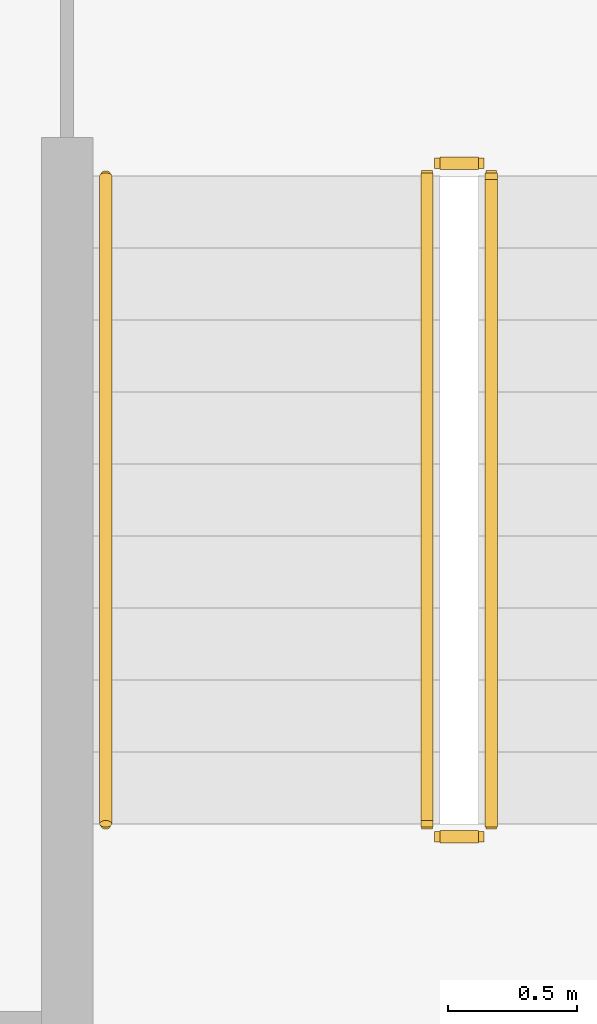
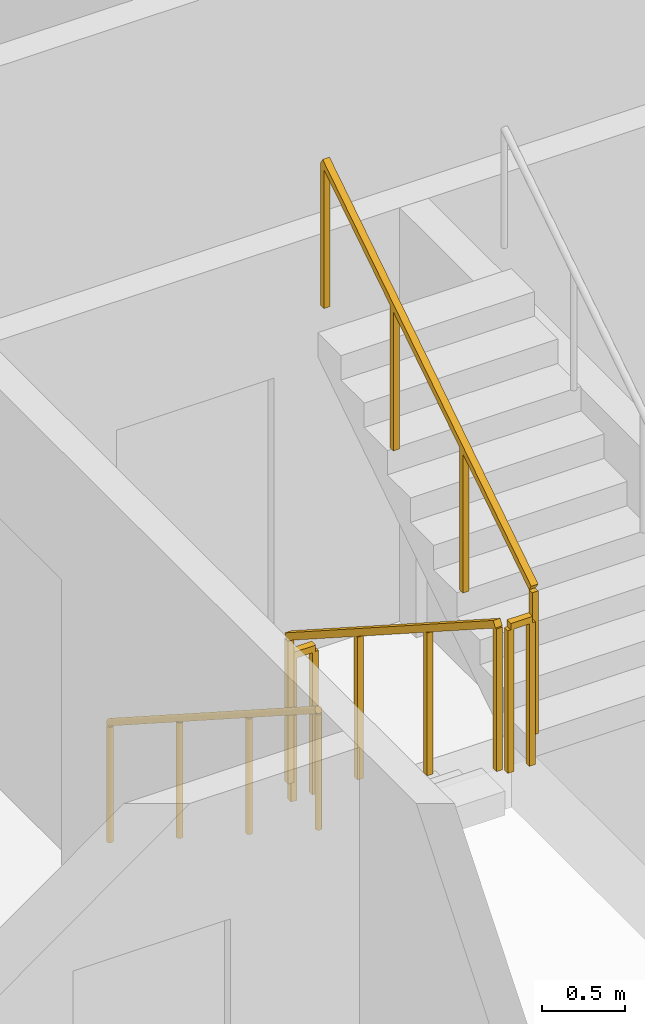
# One storey, part 17 of 20: 5 railings.
"""IFC4 building model written with IfcOpenShell, lengths in metres."""

from ifc_helpers import new_model, si_unit, direction, frame, origin, origin_2d, place, context, subcontext, project, spatial, rectangle, circle, extrude, material, type_object, element, save


model = new_model("IFC4")

# Units and contexts
model_context = context("Model", 3, precision=1e-05, world=origin(), true_north=direction((0.0, 1.0)))
body_context = subcontext(model_context, "Body", "Model", "MODEL_VIEW")
ifc_project = project(units=[si_unit("LENGTHUNIT", "METRE"), si_unit("AREAUNIT", "SQUARE_METRE"), si_unit("VOLUMEUNIT", "CUBIC_METRE"), si_unit("PLANEANGLEUNIT", "RADIAN"), si_unit("MASSUNIT", "GRAM", prefix="KILO")], contexts=[model_context])

# Site, building, storey
site_placement = place(None, origin())
site = spatial("IfcSite", under=ifc_project, at=site_placement, CompositionType="ELEMENT")
building_placement = place(site_placement, origin())
building = spatial("IfcBuilding", under=site, at=building_placement, Name="Mangrove Gate Tower", CompositionType="ELEMENT")
storey_placement = place(building_placement, frame((0.0, 0.0, 294.300048828125)))
storey = spatial("IfcBuildingStorey", under=building, at=storey_placement, Name="L75", CompositionType="ELEMENT", Elevation=294.300048828125)

# Railings
ifc_material_1 = material(Name="Stainless steel 316", Category="steel")
railing_type_1 = type_object("IfcRailingType", Name="Core stair guard 1100", PredefinedType="GUARDRAIL", material=ifc_material_1)
railing_1_placement = place(storey_placement, frame((-0.14990234375, -4.64990234375, 0.179931640625)))
element("IfcRailing", 1, at=railing_1_placement, inside=storey, type_object=railing_type_1, Name="L75 ST2 stair guard 1", PredefinedType="GUARDRAIL", context=body_context, shape_type="SweptSolid", body=[
    extrude(rectangle(XDim=0.048095703125, YDim=0.048095703125, at=origin_2d()), frame((0.0, 0.0, 1.076171875), z_axis=(0.0, -0.841162588446, 0.540782303519), x_axis=(1.0, 0.0, 0.0)), (0.0, 0.0, 1.0), 2.995849609375),
    extrude(rectangle(XDim=0.0419921875, YDim=0.0419921875, at=origin_2d()), origin(), (0.0, 0.0, 1.0), 1.052001953125),
    extrude(rectangle(XDim=0.0419921875, YDim=0.0419921875, at=origin_2d()), frame((0.0, -0.840087890625, 0.5400390625)), (0.0, 0.0, 1.0), 1.052001953125),
    extrude(rectangle(XDim=0.0419921875, YDim=0.0419921875, at=origin_2d()), frame((0.0, -1.679931640625, 1.080078125)), (0.0, 0.0, 1.0), 1.052001953125),
    extrude(rectangle(XDim=0.0419921875, YDim=0.0419921875, at=origin_2d()), frame((0.0, -2.52001953125, 1.6201171875)), (0.0, 0.0, 1.0), 1.052001953125),
])
railing_2_placement = place(storey_placement, frame((-0.10009765625, -7.219970703125, 1.800048828125)))
element("IfcRailing", 2, at=railing_2_placement, inside=storey, type_object=railing_type_1, Name="L75 ST2 stair guard 2", PredefinedType="GUARDRAIL", context=body_context, shape_type="SweptSolid", body=[
    extrude(rectangle(XDim=0.048095703125, YDim=0.048095703125, at=origin_2d()), frame((0.0, 0.0, 1.076171875), z_axis=(1.0, 0.0, 0.0), x_axis=(0.0, 1.0, 0.0)), (0.0, 0.0, 1.0), 0.150146484375),
    extrude(rectangle(XDim=0.0419921875, YDim=0.0419921875, at=origin_2d()), origin(), (0.0, 0.0, 1.0), 1.052001953125),
    extrude(rectangle(XDim=0.0419921875, YDim=0.0419921875, at=origin_2d()), frame((0.150146484375, 0.0, 0.0)), (0.0, 0.0, 1.0), 1.052001953125),
])
railing_3_placement = place(storey_placement, frame((0.10009765625, -7.169921875, 1.97998046875)))
element("IfcRailing", 3, at=railing_3_placement, inside=storey, type_object=railing_type_1, Name="L75 ST2 stair guard 3", PredefinedType="GUARDRAIL", context=body_context, shape_type="SweptSolid", body=[
    extrude(rectangle(XDim=0.048095703125, YDim=0.048095703125, at=origin_2d()), frame((0.0, 0.0, 1.076171875), z_axis=(0.0, 0.841199657755, 0.540724639528), x_axis=(-1.0, 0.0, 0.0)), (0.0, 0.0, 1.0), 2.995849609375),
    extrude(rectangle(XDim=0.0419921875, YDim=0.0419921875, at=origin_2d()), origin(), (0.0, 0.0, 1.0), 1.052001953125),
    extrude(rectangle(XDim=0.0419921875, YDim=0.0419921875, at=origin_2d()), frame((0.0, 0.840087890625, 0.5400390625)), (0.0, 0.0, 1.0), 1.052001953125),
    extrude(rectangle(XDim=0.0419921875, YDim=0.0419921875, at=origin_2d()), frame((0.0, 1.679931640625, 1.079833984375)), (0.0, 0.0, 1.0), 1.052001953125),
    extrude(rectangle(XDim=0.0419921875, YDim=0.0419921875, at=origin_2d()), frame((0.0, 2.52001953125, 1.619873046875)), (0.0, 0.0, 1.0), 1.052001953125),
])
railing_4_placement = place(storey_placement, frame((-0.10009765625, -4.60009765625, 0.0)))
element("IfcRailing", 4, at=railing_4_placement, inside=storey, type_object=railing_type_1, Name="L75 ST2 stair guard 4", PredefinedType="GUARDRAIL", context=body_context, shape_type="SweptSolid", body=[
    extrude(rectangle(XDim=0.048095703125, YDim=0.048095703125, at=origin_2d()), frame((0.0, 0.0, 1.076171875), z_axis=(1.0, 0.0, 0.0), x_axis=(0.0, 1.0, 0.0)), (0.0, 0.0, 1.0), 0.150146484375),
    extrude(rectangle(XDim=0.0419921875, YDim=0.0419921875, at=origin_2d()), origin(), (0.0, 0.0, 1.0), 1.052001953125),
    extrude(rectangle(XDim=0.0419921875, YDim=0.0419921875, at=origin_2d()), frame((0.150146484375, 0.0, 0.0)), (0.0, 0.0, 1.0), 1.052001953125),
])
ifc_material_2 = material(Name="Stainless steel 316", Category="steel")
railing_type_2 = type_object("IfcRailingType", Name="Core stair handrail 900", PredefinedType="HANDRAIL", material=ifc_material_2)
railing_5_placement = place(storey_placement, frame((-1.39990234375, -4.64990234375, 0.179931640625)))
element("IfcRailing", 5, at=railing_5_placement, inside=storey, type_object=railing_type_2, Name="L75 ST2 stair handrail 1", PredefinedType="HANDRAIL", context=body_context, shape_type="SweptSolid", body=[
    extrude(circle(Radius=0.02392578125, at=origin_2d()), frame((0.0, 0.0, 0.8759765625), z_axis=(0.0, -0.841162588446, 0.540782303519), x_axis=(1.0, 0.0, 0.0)), (0.0, 0.0, 1.0), 2.995849609375),
    extrude(circle(Radius=0.02099609375, at=origin_2d()), origin(), (0.0, 0.0, 1.0), 0.851806640625),
    extrude(circle(Radius=0.02099609375, at=origin_2d()), frame((0.0, -0.840087890625, 0.5400390625)), (0.0, 0.0, 1.0), 0.851806640625),
    extrude(circle(Radius=0.02099609375, at=origin_2d()), frame((0.0, -1.679931640625, 1.080078125)), (0.0, 0.0, 1.0), 0.851806640625),
    extrude(circle(Radius=0.02099609375, at=origin_2d()), frame((0.0, -2.52001953125, 1.6201171875)), (0.0, 0.0, 1.0), 0.851806640625),
])

save(model, "model.ifc")
